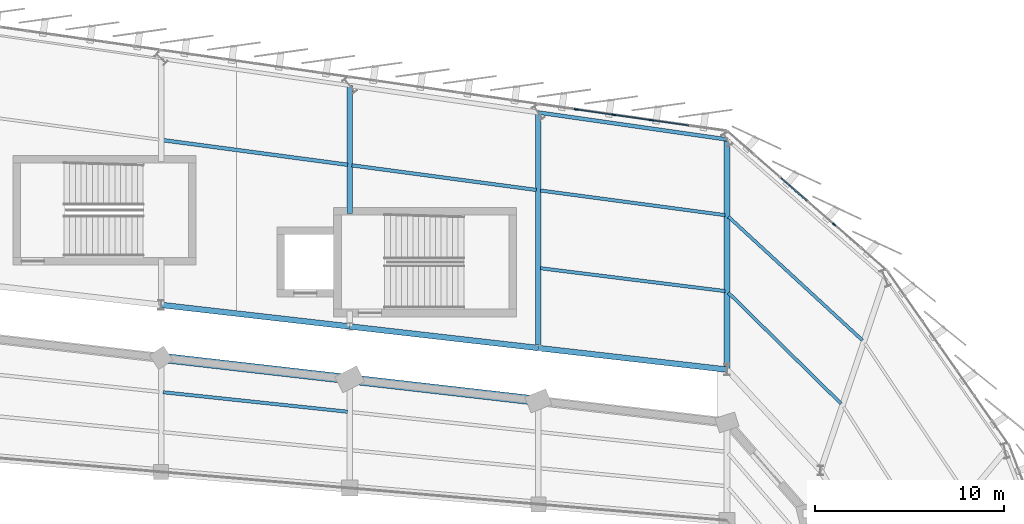
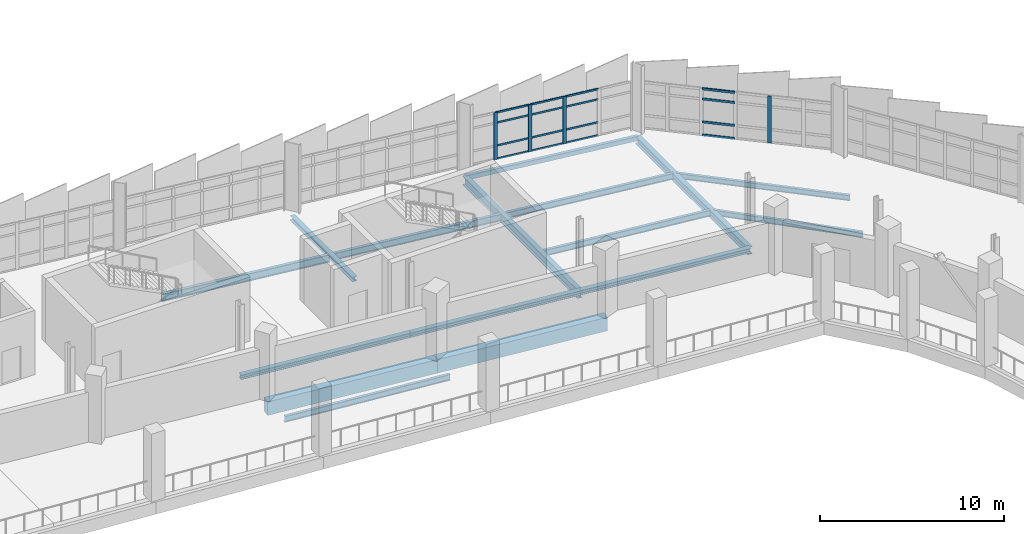
# One storey, part 74 of 125: 20 members, 16 beams, 2 elements without a shape of their own.
"""IFC4 building model written with IfcOpenShell, lengths in metres."""

from ifc_helpers import new_model, si_unit, direction, frame, origin, origin_2d, place, context, subcontext, project, spatial, rectangle, hollow_rectangle, i_section, extrude, material, layer, layer_set, material_profile, profile_set, type_object, element, aggregate, save


model = new_model("IFC4")

# Units and contexts
model_context = context("Model", 3, precision=1e-05, world=origin(), true_north=direction((0.0, 1.0)))
body_context = subcontext(model_context, "Body", "Model", "MODEL_VIEW")
ifc_project = project(units=[si_unit("LENGTHUNIT", "METRE"), si_unit("AREAUNIT", "SQUARE_METRE"), si_unit("VOLUMEUNIT", "CUBIC_METRE"), si_unit("PLANEANGLEUNIT", "RADIAN"), si_unit("MASSUNIT", "GRAM", prefix="KILO")], contexts=[model_context])

# Site, building, storey
site_placement = place(None, origin())
site = spatial("IfcSite", under=ifc_project, at=site_placement, CompositionType="ELEMENT")
building_placement = place(site_placement, origin())
building = spatial("IfcBuilding", under=site, at=building_placement, Name="Sohan Crest Arena", CompositionType="ELEMENT")
storey_placement = place(building_placement, frame((0.0, 0.0, 9.0)))
storey = spatial("IfcBuildingStorey", under=building, at=storey_placement, Name="L02", CompositionType="ELEMENT", Elevation=9.0)

# Curtain wall, member
ifc_material_1 = material(Name="Thermally broken anodised aluminium", Category="aluminium")
ifc_layer_1 = layer(ifc_material_1, 0.219970703125, Name="Thermally broken anodised aluminium")
ifc_layer_set_1 = layer_set([ifc_layer_1], Name="Thermally broken anodised aluminium")
curtain_wall_type_1 = type_object("IfcCurtainWallType", Name="ARC-CW03", PredefinedType="NOTDEFINED", material=ifc_layer_set_1)
curtain_wall_1_placement = place(storey_placement, origin())
curtain_wall_1 = element("IfcCurtainWall", 1, at=curtain_wall_1_placement, inside=storey, type_object=curtain_wall_type_1, Name="Unitised curtain wall CW-072", PredefinedType="NOTDEFINED")
ifc_material_profile_1 = material_profile(ifc_material_1, rectangle(XDim=0.070068359375, YDim=0.199951171875, at=origin_2d()), Name="ALU-MULL 70x200")
ifc_profile_set_1 = profile_set([ifc_material_profile_1], Name="Thermally broken anodised aluminium")
member_type_1 = type_object("IfcMemberType", Name="ARC-CW-ML03", PredefinedType="MULLION", material=ifc_profile_set_1)
member_1_placement = place(storey_placement, frame((173.67333984375, 111.498779296875, 0.0), z_axis=(0.0, 0.0, 1.0), x_axis=(-0.657538815294, -0.753420670265, 0.0)))
member_1 = element("IfcMember", 2, at=member_1_placement, type_object=member_type_1, Name="CW-072 mullion 3", PredefinedType="MULLION", context=body_context, shape_type="SweptSolid", body=[
    extrude(rectangle(XDim=0.070068359375, YDim=0.199951171875, at=origin_2d()), origin(), (0.0, 0.0, 1.0), 3.1201171875),
])

# Curtain wall, members
ifc_layer_2 = layer(ifc_material_1, 0.239990234375, Name="Thermally broken anodised aluminium")
ifc_layer_set_2 = layer_set([ifc_layer_2], Name="Thermally broken anodised aluminium")
curtain_wall_type_2 = type_object("IfcCurtainWallType", Name="ARC-CW04", PredefinedType="NOTDEFINED", material=ifc_layer_set_2)
curtain_wall_2_placement = place(storey_placement, origin())
curtain_wall_2 = element("IfcCurtainWall", 3, at=curtain_wall_2_placement, inside=storey, type_object=curtain_wall_type_2, Name="Unitised curtain wall CW-073", PredefinedType="NOTDEFINED")
ifc_material_profile_2 = material_profile(ifc_material_1, rectangle(XDim=0.074951171875, YDim=0.219970703125, at=origin_2d()), Name="ALU-MULL 75x220")
ifc_profile_set_2 = profile_set([ifc_material_profile_2], Name="Thermally broken anodised aluminium")
member_type_2 = type_object("IfcMemberType", Name="ARC-CW-ML04", PredefinedType="MULLION", material=ifc_profile_set_2)
member_2_placement = place(storey_placement, frame((164.0, 117.021484375, 0.0), z_axis=(0.0, 0.0, 1.0), x_axis=(-0.141462933734, -0.989943553128, 0.0)))
member_2 = element("IfcMember", 4, at=member_2_placement, type_object=member_type_2, Name="CW-073 mullion 3", PredefinedType="MULLION", context=body_context, shape_type="SweptSolid", body=[
    extrude(rectangle(XDim=0.074951171875, YDim=0.219970703125, at=origin_2d()), origin(), (0.0, 0.0, 1.0), 3.1201171875),
])
member_3_placement = place(storey_placement, frame((162.0, 117.307373046875, 0.0), z_axis=(0.0, 0.0, 1.0), x_axis=(-0.141462933734, -0.989943553128, 0.0)))
member_3 = element("IfcMember", 5, at=member_3_placement, type_object=member_type_2, Name="CW-073 mullion 4", PredefinedType="MULLION", context=body_context, shape_type="SweptSolid", body=[
    extrude(rectangle(XDim=0.074951171875, YDim=0.219970703125, at=origin_2d()), origin(), (0.0, 0.0, 1.0), 3.1201171875),
])
member_4_placement = place(storey_placement, frame((160.0, 117.59326171875, 0.0), z_axis=(0.0, 0.0, 1.0), x_axis=(-0.141462933734, -0.989943553128, 0.0)))
member_4 = element("IfcMember", 6, at=member_4_placement, type_object=member_type_2, Name="CW-073 mullion 5", PredefinedType="MULLION", context=body_context, shape_type="SweptSolid", body=[
    extrude(rectangle(XDim=0.074951171875, YDim=0.219970703125, at=origin_2d()), origin(), (0.0, 0.0, 1.0), 3.1201171875),
])
ifc_material_profile_3 = material_profile(ifc_material_1, rectangle(XDim=0.06005859375, YDim=0.1201171875, at=origin_2d()), Name="ALU-TRAN 60x120")
ifc_profile_set_3 = profile_set([ifc_material_profile_3], Name="Thermally broken anodised aluminium")
member_type_3 = type_object("IfcMemberType", Name="ARC-CW-TR01", PredefinedType="USERDEFINED", material=ifc_profile_set_3)
member_5_placement = place(storey_placement, frame((165.962890625, 116.7412109375, 0.030029296875), z_axis=(-0.989946983498, 0.141438926268, 0.0), x_axis=(-0.141438926268, -0.989946983498, 0.0)))
member_5 = element("IfcMember", 7, at=member_5_placement, type_object=member_type_3, Name="CW-073 transom 2.1", ObjectType="TRANSOM", PredefinedType="USERDEFINED", context=body_context, shape_type="SweptSolid", body=[
    extrude(rectangle(XDim=0.06005859375, YDim=0.1201171875, at=origin_2d()), origin(), (0.0, 0.0, 1.0), 1.9453125),
])
member_6_placement = place(storey_placement, frame((165.962890625, 116.7412109375, 0.89990234375), z_axis=(-0.989946983498, 0.141438926268, 0.0), x_axis=(-0.141438926268, -0.989946983498, 0.0)))
member_6 = element("IfcMember", 8, at=member_6_placement, type_object=member_type_3, Name="CW-073 transom 2.2", ObjectType="TRANSOM", PredefinedType="USERDEFINED", context=body_context, shape_type="SweptSolid", body=[
    extrude(rectangle(XDim=0.06005859375, YDim=0.1201171875, at=origin_2d()), origin(), (0.0, 0.0, 1.0), 1.9453125),
])
member_7_placement = place(storey_placement, frame((165.962890625, 116.7412109375, 2.419921875), z_axis=(-0.989946983498, 0.141438926268, 0.0), x_axis=(-0.141438926268, -0.989946983498, 0.0)))
member_7 = element("IfcMember", 9, at=member_7_placement, type_object=member_type_3, Name="CW-073 transom 2.3", ObjectType="TRANSOM", PredefinedType="USERDEFINED", context=body_context, shape_type="SweptSolid", body=[
    extrude(rectangle(XDim=0.06005859375, YDim=0.1201171875, at=origin_2d()), origin(), (0.0, 0.0, 1.0), 1.9453125),
])
member_8_placement = place(storey_placement, frame((165.962890625, 116.7412109375, 3.090087890625), z_axis=(-0.989946983498, 0.141438926268, 0.0), x_axis=(-0.141438926268, -0.989946983498, 0.0)))
member_8 = element("IfcMember", 10, at=member_8_placement, type_object=member_type_3, Name="CW-073 transom 2.4", ObjectType="TRANSOM", PredefinedType="USERDEFINED", context=body_context, shape_type="SweptSolid", body=[
    extrude(rectangle(XDim=0.06005859375, YDim=0.1201171875, at=origin_2d()), origin(), (0.0, 0.0, 1.0), 1.9453125),
])
member_9_placement = place(storey_placement, frame((163.962890625, 117.02685546875, 0.030029296875), z_axis=(-0.989946983498, 0.141438926268, 0.0), x_axis=(-0.141438926268, -0.989946983498, 0.0)))
member_9 = element("IfcMember", 11, at=member_9_placement, type_object=member_type_3, Name="CW-073 transom 3.1", ObjectType="TRANSOM", PredefinedType="USERDEFINED", context=body_context, shape_type="SweptSolid", body=[
    extrude(rectangle(XDim=0.06005859375, YDim=0.1201171875, at=origin_2d()), origin(), (0.0, 0.0, 1.0), 1.9453125),
])
member_10_placement = place(storey_placement, frame((163.962890625, 117.02685546875, 0.89990234375), z_axis=(-0.989946983498, 0.141438926268, 0.0), x_axis=(-0.141438926268, -0.989946983498, 0.0)))
member_10 = element("IfcMember", 12, at=member_10_placement, type_object=member_type_3, Name="CW-073 transom 3.2", ObjectType="TRANSOM", PredefinedType="USERDEFINED", context=body_context, shape_type="SweptSolid", body=[
    extrude(rectangle(XDim=0.06005859375, YDim=0.1201171875, at=origin_2d()), origin(), (0.0, 0.0, 1.0), 1.9453125),
])
member_11_placement = place(storey_placement, frame((163.962890625, 117.02685546875, 2.419921875), z_axis=(-0.989946983498, 0.141438926268, 0.0), x_axis=(-0.141438926268, -0.989946983498, 0.0)))
member_11 = element("IfcMember", 13, at=member_11_placement, type_object=member_type_3, Name="CW-073 transom 3.3", ObjectType="TRANSOM", PredefinedType="USERDEFINED", context=body_context, shape_type="SweptSolid", body=[
    extrude(rectangle(XDim=0.06005859375, YDim=0.1201171875, at=origin_2d()), origin(), (0.0, 0.0, 1.0), 1.9453125),
])
member_12_placement = place(storey_placement, frame((163.962890625, 117.02685546875, 3.090087890625), z_axis=(-0.989946983498, 0.141438926268, 0.0), x_axis=(-0.141438926268, -0.989946983498, 0.0)))
member_12 = element("IfcMember", 14, at=member_12_placement, type_object=member_type_3, Name="CW-073 transom 3.4", ObjectType="TRANSOM", PredefinedType="USERDEFINED", context=body_context, shape_type="SweptSolid", body=[
    extrude(rectangle(XDim=0.06005859375, YDim=0.1201171875, at=origin_2d()), origin(), (0.0, 0.0, 1.0), 1.9453125),
])
member_13_placement = place(storey_placement, frame((161.962890625, 117.312744140625, 0.030029296875), z_axis=(-0.989946983498, 0.141438926268, 0.0), x_axis=(-0.141438926268, -0.989946983498, 0.0)))
member_13 = element("IfcMember", 15, at=member_13_placement, type_object=member_type_3, Name="CW-073 transom 4.1", ObjectType="TRANSOM", PredefinedType="USERDEFINED", context=body_context, shape_type="SweptSolid", body=[
    extrude(rectangle(XDim=0.06005859375, YDim=0.1201171875, at=origin_2d()), origin(), (0.0, 0.0, 1.0), 1.9453125),
])
member_14_placement = place(storey_placement, frame((161.962890625, 117.312744140625, 0.89990234375), z_axis=(-0.989946983498, 0.141438926268, 0.0), x_axis=(-0.141438926268, -0.989946983498, 0.0)))
member_14 = element("IfcMember", 16, at=member_14_placement, type_object=member_type_3, Name="CW-073 transom 4.2", ObjectType="TRANSOM", PredefinedType="USERDEFINED", context=body_context, shape_type="SweptSolid", body=[
    extrude(rectangle(XDim=0.06005859375, YDim=0.1201171875, at=origin_2d()), origin(), (0.0, 0.0, 1.0), 1.9453125),
])
member_15_placement = place(storey_placement, frame((161.962890625, 117.312744140625, 2.419921875), z_axis=(-0.989946983498, 0.141438926268, 0.0), x_axis=(-0.141438926268, -0.989946983498, 0.0)))
member_15 = element("IfcMember", 17, at=member_15_placement, type_object=member_type_3, Name="CW-073 transom 4.3", ObjectType="TRANSOM", PredefinedType="USERDEFINED", context=body_context, shape_type="SweptSolid", body=[
    extrude(rectangle(XDim=0.06005859375, YDim=0.1201171875, at=origin_2d()), origin(), (0.0, 0.0, 1.0), 1.9453125),
])
member_16_placement = place(storey_placement, frame((161.962890625, 117.312744140625, 3.090087890625), z_axis=(-0.989946983498, 0.141438926268, 0.0), x_axis=(-0.141438926268, -0.989946983498, 0.0)))
member_16 = element("IfcMember", 18, at=member_16_placement, type_object=member_type_3, Name="CW-073 transom 4.4", ObjectType="TRANSOM", PredefinedType="USERDEFINED", context=body_context, shape_type="SweptSolid", body=[
    extrude(rectangle(XDim=0.06005859375, YDim=0.1201171875, at=origin_2d()), origin(), (0.0, 0.0, 1.0), 1.9453125),
])
aggregate(curtain_wall_2, [member_2, member_3, member_4, member_5, member_6, member_7, member_8, member_9, member_10, member_11, member_12, member_13, member_14, member_15, member_16])

# Member
ifc_material_profile_4 = material_profile(ifc_material_1, rectangle(XDim=0.070068359375, YDim=0.14990234375, at=origin_2d()), Name="ALU-TRAN 70x150")
ifc_profile_set_4 = profile_set([ifc_material_profile_4], Name="Thermally broken anodised aluminium")
member_type_4 = type_object("IfcMemberType", Name="ARC-CW-TR03", PredefinedType="USERDEFINED", material=ifc_profile_set_4)
member_17_placement = place(storey_placement, frame((172.228515625, 112.759521484375, 0.034912109375), z_axis=(-0.753368844285, 0.657598193778, 0.0), x_axis=(-0.657598193778, -0.753368844285, 0.0)))
member_17 = element("IfcMember", 19, at=member_17_placement, type_object=member_type_4, Name="CW-072 transom 4.1", ObjectType="TRANSOM", PredefinedType="USERDEFINED", context=body_context, shape_type="SweptSolid", body=[
    extrude(rectangle(XDim=0.070068359375, YDim=0.14990234375, at=origin_2d()), origin(), (0.0, 0.0, 1.0), 1.8125),
])

member_18_placement = place(storey_placement, frame((172.228515625, 112.759521484375, 0.89990234375), z_axis=(-0.753368844285, 0.657598193778, 0.0), x_axis=(-0.657598193778, -0.753368844285, 0.0)))
member_18 = element("IfcMember", 20, at=member_18_placement, type_object=member_type_4, Name="CW-072 transom 4.2", ObjectType="TRANSOM", PredefinedType="USERDEFINED", context=body_context, shape_type="SweptSolid", body=[
    extrude(rectangle(XDim=0.070068359375, YDim=0.14990234375, at=origin_2d()), origin(), (0.0, 0.0, 1.0), 1.8125),
])

member_19_placement = place(storey_placement, frame((172.228515625, 112.759521484375, 2.419921875), z_axis=(-0.753368844285, 0.657598193778, 0.0), x_axis=(-0.657598193778, -0.753368844285, 0.0)))
member_19 = element("IfcMember", 21, at=member_19_placement, type_object=member_type_4, Name="CW-072 transom 4.3", ObjectType="TRANSOM", PredefinedType="USERDEFINED", context=body_context, shape_type="SweptSolid", body=[
    extrude(rectangle(XDim=0.070068359375, YDim=0.14990234375, at=origin_2d()), origin(), (0.0, 0.0, 1.0), 1.8125),
])

member_20_placement = place(storey_placement, frame((172.228515625, 112.759521484375, 3.0849609375), z_axis=(-0.753368844285, 0.657598193778, 0.0), x_axis=(-0.657598193778, -0.753368844285, 0.0)))
member_20 = element("IfcMember", 22, at=member_20_placement, type_object=member_type_4, Name="CW-072 transom 4.4", ObjectType="TRANSOM", PredefinedType="USERDEFINED", context=body_context, shape_type="SweptSolid", body=[
    extrude(rectangle(XDim=0.070068359375, YDim=0.14990234375, at=origin_2d()), origin(), (0.0, 0.0, 1.0), 1.8125),
])

aggregate(curtain_wall_1, [member_1, member_17, member_18, member_19, member_20])

# Beams
ifc_material_2 = material(Name="Steel S355", Category="steel")
ifc_material_profile_5 = material_profile(ifc_material_2, i_section(OverallWidth=0.169921875, OverallDepth=0.360107421875, WebThickness=0.008056640625, FlangeThickness=0.0126953125, at=origin_2d()), Name="IPE 360")
ifc_profile_set_5 = profile_set([ifc_material_profile_5], Name="Steel S355")
beam_type_1 = type_object("IfcBeamType", Name="STR-BM-B02", PredefinedType="JOIST", material=ifc_profile_set_5)
beam_1_placement = place(storey_placement, frame((174.0458984375, 101.9951171875, -0.429931640625), z_axis=(-0.712580271708, 0.701590590283, 0.0), x_axis=(-0.701590590283, -0.712580271708, 0.0)))
element("IfcBeam", 23, at=beam_1_placement, inside=storey, type_object=beam_type_1, Name="Structural beam J-L02-1364", PredefinedType="JOIST", context=body_context, shape_type="SweptSolid", body=[
    extrude(i_section(OverallWidth=0.169921875, OverallDepth=0.360107421875, WebThickness=0.008056640625, FlangeThickness=0.0126953125, at=origin_2d()), origin(), (0.0, 0.0, 1.0), 8.375244140625),
])
beam_2_placement = place(storey_placement, frame((175.173095703125, 105.35693359375, -0.429931640625), z_axis=(-0.735036224245, 0.678027837959, 0.0), x_axis=(-0.678027837959, -0.735036224245, 0.0)))
element("IfcBeam", 24, at=beam_2_placement, inside=storey, type_object=beam_type_1, Name="Structural beam J-L02-1365", PredefinedType="JOIST", context=body_context, shape_type="SweptSolid", body=[
    extrude(i_section(OverallWidth=0.169921875, OverallDepth=0.360107421875, WebThickness=0.008056640625, FlangeThickness=0.0126953125, at=origin_2d()), origin(), (0.0, 0.0, 1.0), 9.648681640625),
])
ifc_material_profile_6 = material_profile(ifc_material_2, i_section(OverallWidth=0.179931640625, OverallDepth=0.39990234375, WebThickness=0.008544921875, FlangeThickness=0.013427734375, at=origin_2d()), Name="IPE 400")
ifc_profile_set_6 = profile_set([ifc_material_profile_6], Name="Steel S355")
beam_type_2 = type_object("IfcBeamType", Name="STR-BM-B03", PredefinedType="JOIST", material=ifc_profile_set_6)
beam_3_placement = place(storey_placement, frame((147.89111328125, 101.56591796875, -0.449951171875), z_axis=(-0.994458024707, 0.105134376377, 0.0), x_axis=(-0.105134376377, -0.994458024707, 0.0)))
element("IfcBeam", 25, at=beam_3_placement, inside=storey, type_object=beam_type_2, Name="Structural beam J-L02-0717", PredefinedType="JOIST", context=body_context, shape_type="SweptSolid", body=[
    extrude(i_section(OverallWidth=0.179931640625, OverallDepth=0.39990234375, WebThickness=0.008544921875, FlangeThickness=0.013427734375, at=origin_2d()), origin(), (0.0, 0.0, 1.0), 9.836669921875),
])
beam_4_placement = place(storey_placement, frame((167.89111328125, 107.9619140625, -0.449951171875), z_axis=(-0.992409914467, 0.122973825131, 0.0), x_axis=(-0.122973825131, -0.992409914467, 0.0)))
element("IfcBeam", 26, at=beam_4_placement, inside=storey, type_object=beam_type_2, Name="Structural beam J-L02-1369", PredefinedType="JOIST", context=body_context, shape_type="SweptSolid", body=[
    extrude(i_section(OverallWidth=0.179931640625, OverallDepth=0.39990234375, WebThickness=0.008544921875, FlangeThickness=0.013427734375, at=origin_2d()), origin(), (0.0, 0.0, 1.0), 9.85693359375),
])
beam_5_placement = place(storey_placement, frame((167.89111328125, 111.989013671875, -0.449951171875), z_axis=(-0.991219472477, 0.132226916252, 0.0), x_axis=(-0.132226916252, -0.991219472477, 0.0)))
element("IfcBeam", 27, at=beam_5_placement, inside=storey, type_object=beam_type_2, Name="Structural beam J-L02-1370", PredefinedType="JOIST", context=body_context, shape_type="SweptSolid", body=[
    extrude(i_section(OverallWidth=0.179931640625, OverallDepth=0.39990234375, WebThickness=0.008544921875, FlangeThickness=0.013427734375, at=origin_2d()), origin(), (0.0, 0.0, 1.0), 9.868896484375),
])
ifc_material_profile_7 = material_profile(ifc_material_2, i_section(OverallWidth=0.18994140625, OverallDepth=0.449951171875, WebThickness=0.009521484375, FlangeThickness=0.0146484375, at=origin_2d()), Name="IPE 450")
ifc_profile_set_7 = profile_set([ifc_material_profile_7], Name="Steel S355")
beam_type_3 = type_object("IfcBeamType", Name="STR-BM-B04", PredefinedType="JOIST", material=ifc_profile_set_7)
beam_6_placement = place(storey_placement, frame((157.89111328125, 113.323974609375, -0.47509765625), z_axis=(-0.991232437337, 0.132129690721, 0.0), x_axis=(-0.132129690721, -0.991232437337, 0.0)))
element("IfcBeam", 28, at=beam_6_placement, inside=storey, type_object=beam_type_3, Name="Structural beam J-L02-1374", PredefinedType="JOIST", context=body_context, shape_type="SweptSolid", body=[
    extrude(i_section(OverallWidth=0.18994140625, OverallDepth=0.449951171875, WebThickness=0.009521484375, FlangeThickness=0.0146484375, at=origin_2d()), origin(), (0.0, 0.0, 1.0), 9.86865234375),
])
ifc_material_profile_8 = material_profile(ifc_material_2, i_section(OverallWidth=0.199951171875, OverallDepth=0.5, WebThickness=0.01025390625, FlangeThickness=0.01611328125, at=origin_2d()), Name="IPE 500")
ifc_profile_set_8 = profile_set([ifc_material_profile_8], Name="Steel S355")
beam_type_4 = type_object("IfcBeamType", Name="STR-BM-B05", PredefinedType="JOIST", material=ifc_profile_set_8)
beam_7_placement = place(storey_placement, frame((147.89111328125, 114.657958984375, -0.5), z_axis=(-0.991232437337, 0.132129690721, 0.0), x_axis=(-0.132129690721, -0.991232437337, 0.0)))
element("IfcBeam", 29, at=beam_7_placement, inside=storey, type_object=beam_type_4, Name="Structural beam J-L02-1379", PredefinedType="JOIST", context=body_context, shape_type="SweptSolid", body=[
    extrude(i_section(OverallWidth=0.199951171875, OverallDepth=0.5, WebThickness=0.01025390625, FlangeThickness=0.01611328125, at=origin_2d()), origin(), (0.0, 0.0, 1.0), 9.86865234375),
])
ifc_material_profile_9 = material_profile(ifc_material_2, i_section(OverallWidth=0.300048828125, OverallDepth=0.590087890625, WebThickness=0.012939453125, FlangeThickness=0.02490234375, at=origin_2d()), Name="HEA 600")
ifc_profile_set_9 = profile_set([ifc_material_profile_9], Name="Steel S355")
beam_type_5 = type_object("IfcBeamType", Name="STR-BM-B11", PredefinedType="BEAM", material=ifc_profile_set_9)
beam_8_placement = place(storey_placement, frame((158.0, 104.943115234375, -0.544921875), z_axis=(0.0, 1.0, 0.0), x_axis=(-1.0, 0.0, 0.0)))
element("IfcBeam", 30, at=beam_8_placement, inside=storey, type_object=beam_type_5, Name="Structural beam G-L02-1371", PredefinedType="BEAM", context=body_context, shape_type="SweptSolid", body=[
    extrude(i_section(OverallWidth=0.300048828125, OverallDepth=0.590087890625, WebThickness=0.012939453125, FlangeThickness=0.02490234375, at=origin_2d()), origin(), (0.0, 0.0, 1.0), 12.48583984375),
])
ifc_material_profile_10 = material_profile(ifc_material_2, i_section(OverallWidth=0.300048828125, OverallDepth=0.300048828125, WebThickness=0.010986328125, FlangeThickness=0.01904296875, at=origin_2d()), Name="HEB 300")
ifc_profile_set_10 = profile_set([ifc_material_profile_10], Name="Steel S355")
beam_type_6 = type_object("IfcBeamType", Name="STR-BM-B12", PredefinedType="BEAM", material=ifc_profile_set_10)
for number, where, z_axis, x_axis, name in (
    (31, (168.0, 103.800048828125, -0.39990234375), (-0.99353032697, 0.113567114035, 0.0), (-0.113567114035, -0.99353032697, 0.0), "Structural beam G-L02-1367"),
    (32, (158.0, 104.943115234375, -0.39990234375), (-0.993533063564, 0.113543170668, 0.0), (-0.113543170668, -0.993533063564, 0.0), "Structural beam G-L02-1372"),
):
    element("IfcBeam", number, at=place(storey_placement, frame(where, z_axis=z_axis, x_axis=x_axis)), inside=storey, type_object=beam_type_6, Name=name, PredefinedType="BEAM", context=body_context, shape_type="SweptSolid", body=[
        extrude(i_section(OverallWidth=0.300048828125, OverallDepth=0.300048828125, WebThickness=0.010986328125, FlangeThickness=0.01904296875, at=origin_2d()), origin(), (0.0, 0.0, 1.0), 10.065185546875),
    ])
beam_9_placement = place(storey_placement, frame((148.0, 112.080078125, -0.39990234375), z_axis=(0.0, 1.0, 0.0), x_axis=(-1.0, 0.0, 0.0)))
element("IfcBeam", 33, at=beam_9_placement, inside=storey, type_object=beam_type_6, Name="Structural beam G-L02-1376", PredefinedType="BEAM", context=body_context, shape_type="SweptSolid", body=[
    extrude(i_section(OverallWidth=0.300048828125, OverallDepth=0.300048828125, WebThickness=0.010986328125, FlangeThickness=0.01904296875, at=origin_2d()), origin(), (0.0, 0.0, 1.0), 6.77685546875),
])
beam_10_placement = place(storey_placement, frame((148.0, 106.0859375, -0.39990234375), z_axis=(-0.99353032697, 0.113567114035, 0.0), x_axis=(-0.113567114035, -0.99353032697, 0.0)))
element("IfcBeam", 34, at=beam_10_placement, inside=storey, type_object=beam_type_6, Name="Structural beam G-L02-1377", PredefinedType="BEAM", context=body_context, shape_type="SweptSolid", body=[
    extrude(i_section(OverallWidth=0.300048828125, OverallDepth=0.300048828125, WebThickness=0.010986328125, FlangeThickness=0.01904296875, at=origin_2d()), origin(), (0.0, 0.0, 1.0), 10.065185546875),
])
ifc_material_profile_11 = material_profile(ifc_material_2, i_section(OverallWidth=0.300048828125, OverallDepth=0.5, WebThickness=0.014404296875, FlangeThickness=0.028076171875, at=origin_2d()), Name="HEB 500")
ifc_profile_set_11 = profile_set([ifc_material_profile_11], Name="Steel S355")
beam_type_7 = type_object("IfcBeamType", Name="STR-BM-B14", PredefinedType="BEAM", material=ifc_profile_set_11)
beam_11_placement = place(storey_placement, frame((168.0, 103.800048828125, -0.5), z_axis=(0.0, 1.0, 0.0), x_axis=(-1.0, 0.0, 0.0)))
element("IfcBeam", 35, at=beam_11_placement, inside=storey, type_object=beam_type_7, Name="Structural beam G-L02-1366", PredefinedType="BEAM", context=body_context, shape_type="SweptSolid", body=[
    extrude(i_section(OverallWidth=0.300048828125, OverallDepth=0.5, WebThickness=0.014404296875, FlangeThickness=0.028076171875, at=origin_2d()), origin(), (0.0, 0.0, 1.0), 12.199951171875),
])
ifc_material_profile_12 = material_profile(ifc_material_2, hollow_rectangle(XDim=0.199951171875, YDim=0.300048828125, WallThickness=0.010009765625, at=origin_2d()), Name="RHS 300x200x10")
ifc_profile_set_12 = profile_set([ifc_material_profile_12], Name="Steel S355")
beam_type_8 = type_object("IfcBeamType", Name="STR-BM-SP03", PredefinedType="SPANDREL", material=ifc_profile_set_12)
beam_12_placement = place(storey_placement, frame((168.0, 116.0, -0.39990234375), z_axis=(-0.989944175879, 0.141458575718, 0.0), x_axis=(-0.141458575718, -0.989944175879, 0.0)))
element("IfcBeam", 36, at=beam_12_placement, inside=storey, type_object=beam_type_8, Name="Structural beam SP-L02-1368", PredefinedType="SPANDREL", context=body_context, shape_type="SweptSolid", body=[
    extrude(hollow_rectangle(XDim=0.199951171875, YDim=0.300048828125, WallThickness=0.010009765625, at=origin_2d()), origin(), (0.0, 0.0, 1.0), 10.1015625),
])
ifc_material_3 = material(Name="Concrete C40/50", Category="concrete")
ifc_material_profile_13 = material_profile(ifc_material_3, rectangle(XDim=0.5, YDim=0.89990234375, at=origin_2d()), Name="RC-BM 500x900")
ifc_profile_set_13 = profile_set([ifc_material_profile_13], Name="Concrete C40/50")
beam_type_9 = type_object("IfcBeamType", Name="STR-BM-TB03", PredefinedType="BEAM", material=ifc_profile_set_13)
for number, where, z_axis, x_axis, name in (
    (37, (158.0, 102.14306640625, -0.699951171875), (-0.993533063564, 0.113543170668, 0.0), (-0.113543170668, -0.993533063564, 0.0), "Structural beam TB-L02-0692"),
    (38, (148.0, 103.285888671875, -0.699951171875), (-0.99353032697, 0.113567114035, 0.0), (-0.113567114035, -0.99353032697, 0.0), "Structural beam TB-L02-0714"),
):
    element("IfcBeam", number, at=place(storey_placement, frame(where, z_axis=z_axis, x_axis=x_axis)), inside=storey, type_object=beam_type_9, Name=name, PredefinedType="BEAM", context=body_context, shape_type="SweptSolid", body=[
        extrude(rectangle(XDim=0.5, YDim=0.89990234375, at=origin_2d()), origin(), (0.0, 0.0, 1.0), 10.065185546875),
    ])

save(model, "model.ifc")
